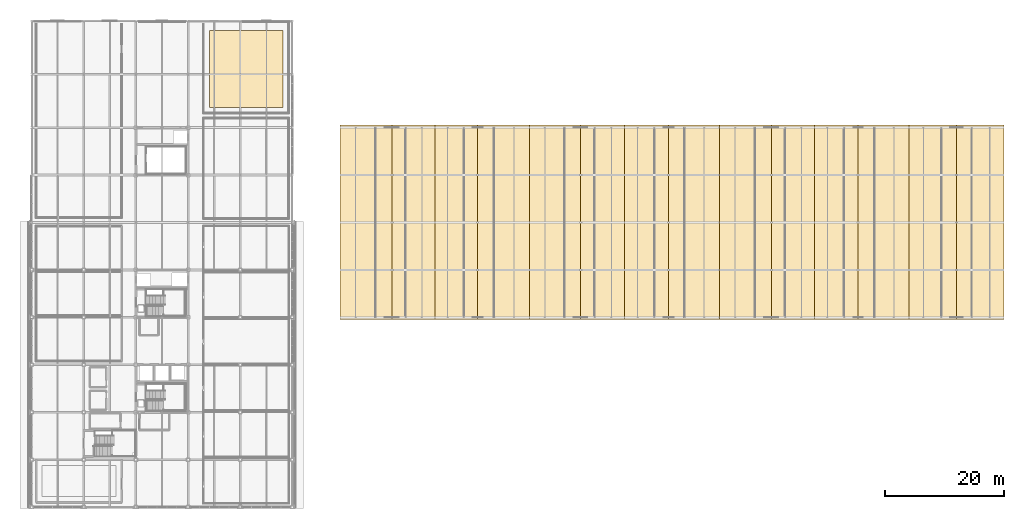
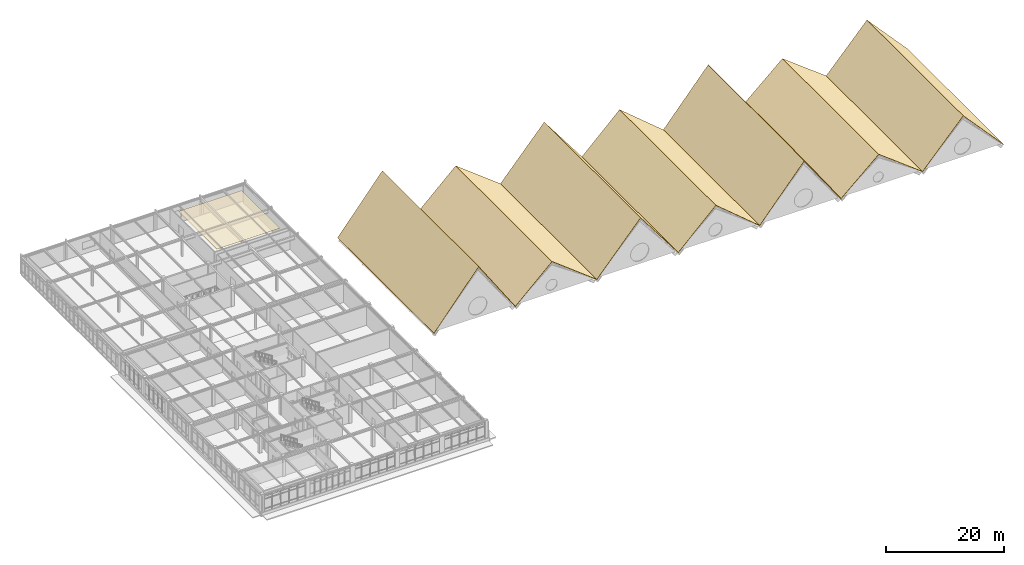
# One storey, part 64 of 64: 15 coverings.
"""IFC4 building model written with IfcOpenShell, lengths in metres."""

import ifcopenshell
import ifcopenshell.guid

model = None  # the IFC model being written
_history = None  # IfcOwnerHistory: only IFC2X3 demands one
_inside = {}  # id of a spatial element -> (the spatial element, [elements in it])
_under = {}  # id of a project, library or spatial element -> (it, [spatial elements below it])
_declared = {}  # id of a project -> (the project, [libraries it declares])
_typed = {}  # id of a type object -> (the type object, [elements of that type])
_made_of = {}  # id of a material, layer set ... -> (it, [elements and type objects made of it])


def new_model(schema):
    """Start an empty IFC model of exactly this schema.

    Asked for "IFC4X3", IfcOpenShell would pick the latest addendum, in which some entities
    have other attributes; the version numbers below select the first issue.
    IFC2X3 requires an IfcOwnerHistory on every rooted entity: one is made here for all.
    """
    global model, _history
    if schema == "IFC4X3":
        model = ifcopenshell.file(schema_version=(4, 3, 0, 0))
    else:
        model = ifcopenshell.file(schema=schema)
    _inside.clear()
    _under.clear()
    _declared.clear()
    _typed.clear()
    _made_of.clear()
    _history = None
    if model.schema == "IFC2X3":
        org = make("IfcOrganization", Name="unknown")
        user = make(
            "IfcPersonAndOrganization",
            ThePerson=make("IfcPerson", FamilyName="unknown"),
            TheOrganization=org,
        )
        app = make(
            "IfcApplication",
            ApplicationDeveloper=org,
            Version="unknown",
            ApplicationFullName="unknown",
            ApplicationIdentifier="unknown",
        )
        _history = make(
            "IfcOwnerHistory",
            OwningUser=user,
            OwningApplication=app,
            ChangeAction="ADDED",
            CreationDate=0,
        )
    return model


def make(cls, **values):
    """One entity of the class cls with the attributes given. An attribute that is None is left unset."""
    return model.create_entity(
        cls, **{name: value for name, value in values.items() if value is not None}
    )


def rooted(cls, **values):
    """An entity with a GlobalId (a new one), such as an element, a storey or a relation."""
    return make(cls, GlobalId=ifcopenshell.guid.new(), OwnerHistory=_history, **values)


def si_unit(unit_type, name, prefix=None):
    """IfcSIUnit, for example si_unit("LENGTHUNIT", "METRE", prefix="MILLI")."""
    return make("IfcSIUnit", UnitType=unit_type, Prefix=prefix, Name=name)


def assignment(units):
    """IfcUnitAssignment: the units of a project."""
    return None if units is None else make("IfcUnitAssignment", Units=units)


def point(xyz):
    """IfcCartesianPoint."""
    return None if xyz is None else make("IfcCartesianPoint", Coordinates=xyz)


def direction(xyz):
    """IfcDirection."""
    return None if xyz is None else make("IfcDirection", DirectionRatios=xyz)


def frame(location, z_axis=None, x_axis=None):
    """IfcAxis2Placement3D, a coordinate frame: its origin and axes. An axis left out is left unset."""
    return make(
        "IfcAxis2Placement3D",
        Location=point(location),
        Axis=direction(z_axis),
        RefDirection=direction(x_axis),
    )


def frame_2d(location, x_axis=None):
    """IfcAxis2Placement2D, a coordinate frame in the plane: its origin and x axis."""
    return make(
        "IfcAxis2Placement2D", Location=point(location), RefDirection=direction(x_axis)
    )


def origin():
    """The frame at (0, 0, 0) with its axes left unset."""
    return frame((0.0, 0.0, 0.0))


def origin_2d():
    """The frame at (0, 0) in the plane with its x axis left unset."""
    return frame_2d((0.0, 0.0))


def place(relative_to, where):
    """IfcLocalPlacement: puts the frame where relative to a parent placement (None: the world)."""
    return make(
        "IfcLocalPlacement", PlacementRelTo=relative_to, RelativePlacement=where
    )


def context(
    kind, dimensions, precision=None, world=None, true_north=None, identifier=None
):
    """IfcGeometricRepresentationContext, for example the 3D "Model" context."""
    return make(
        "IfcGeometricRepresentationContext",
        ContextIdentifier=identifier,
        ContextType=kind,
        CoordinateSpaceDimension=dimensions,
        Precision=precision,
        WorldCoordinateSystem=world,
        TrueNorth=true_north,
    )


def subcontext(parent, identifier, kind, view, scale=None):
    """IfcGeometricRepresentationSubContext, for example "Body" below "Model"."""
    return make(
        "IfcGeometricRepresentationSubContext",
        ContextIdentifier=identifier,
        ContextType=kind,
        ParentContext=parent,
        TargetScale=scale,
        TargetView=view,
    )


def project(units=None, contexts=None):
    """IfcProject with its units and contexts."""
    return rooted(
        "IfcProject",
        Name="project",
        RepresentationContexts=contexts,
        UnitsInContext=assignment(units),
    )


def spatial(cls, under=None, at=None, **own):
    """A site, building, storey or space (cls), placed at a placement, below another one or the project."""
    s = rooted(cls, ObjectPlacement=at, **own)
    if under is not None:
        _under.setdefault(under.id(), (under, []))[1].append(s)
    return s


def polyline(points):
    """IfcPolyline through the points."""
    return make("IfcPolyline", Points=[point(p) for p in points])


def profile(cls, at=None, kind="AREA", **sizes):
    """A parametric profile (cls). Its sizes go by their IFC names, for example OverallWidth=200.0."""
    return make(cls, ProfileType=kind, Position=at, **sizes)


def rectangle(**sizes):
    """IfcRectangleProfileDef."""
    return profile("IfcRectangleProfileDef", **sizes)


def outline(outer, holes=None, kind="AREA"):
    """IfcArbitraryClosedProfileDef: a profile drawn as a closed curve; with holes, ...WithVoids."""
    if holes is None:
        return make("IfcArbitraryClosedProfileDef", ProfileType=kind, OuterCurve=outer)
    return make(
        "IfcArbitraryProfileDefWithVoids",
        ProfileType=kind,
        OuterCurve=outer,
        InnerCurves=holes,
    )


def extrude(swept, where, along, depth):
    """IfcExtrudedAreaSolid: the profile swept, set in the frame where, extruded along a direction by depth."""
    return make(
        "IfcExtrudedAreaSolid",
        SweptArea=swept,
        Position=where,
        ExtrudedDirection=direction(along),
        Depth=depth,
    )


def shape(context_of_items, identifier, shape_type, items):
    """IfcShapeRepresentation: the items that make up one representation, for example the "Body"."""
    return make(
        "IfcShapeRepresentation",
        ContextOfItems=context_of_items,
        RepresentationIdentifier=identifier,
        RepresentationType=shape_type,
        Items=items,
    )


def material(Name=None, Category=None):
    """IfcMaterial."""
    return make("IfcMaterial", Name=Name, Category=Category)


def layer(
    of_material, thickness, ventilated=None, Name=None, Category=None, Priority=None
):
    """IfcMaterialLayer: one layer of a wall or slab, of a material (None: an air gap)."""
    return make(
        "IfcMaterialLayer",
        Material=of_material,
        LayerThickness=thickness,
        IsVentilated=ventilated,
        Name=Name,
        Category=Category,
        Priority=Priority,
    )


def layer_set(layers, Name=None):
    """IfcMaterialLayerSet."""
    return make("IfcMaterialLayerSet", MaterialLayers=layers, LayerSetName=Name)


def made_of(thing, what):
    """Note that an element or type object is made of a material, layer set ...; save() writes the relation."""
    if what is not None:
        _made_of.setdefault(what.id(), (what, []))[1].append(thing)
    return thing


def type_object(cls, material=None, **own):
    """A type object (cls), such as IfcWallType, which elements share."""
    return made_of(rooted(cls, **own), material)


def element(
    cls,
    number,
    at=None,
    inside=None,
    cuts=None,
    type_object=None,
    material=None,
    context=None,
    identifier="Body",
    shape_type=None,
    held_by="IfcProductDefinitionShape",
    body=None,
    shapes=None,
    **own,
):
    """One element of the class cls, such as IfcWall. Its Tag is "e" and its number.

    at: its placement. inside: the storey or other place that contains it. cuts: it is an
    opening in that element (IfcRelVoidsElement). A single representation is given by context,
    identifier, shape_type and body (its items); several are given by shapes. held_by: the class
    of the entity that holds the representations. save() writes the other relations.
    """
    e = rooted(cls, Tag="e%d" % number, ObjectPlacement=at, **own)
    if body is not None:
        shapes = [shape(context, identifier, shape_type, body)]
    if shapes is not None:
        e.Representation = make(held_by, Representations=shapes)
    if inside is not None:
        _inside.setdefault(inside.id(), (inside, []))[1].append(e)
    if cuts is not None:
        rooted(
            "IfcRelVoidsElement", RelatingBuildingElement=cuts, RelatedOpeningElement=e
        )
    if type_object is not None:
        _typed.setdefault(type_object.id(), (type_object, []))[1].append(e)
    return made_of(e, material)


def aggregate(whole, parts):
    """IfcRelAggregates: a whole, such as a stair, and the parts it consists of."""
    return rooted("IfcRelAggregates", RelatingObject=whole, RelatedObjects=parts)


def save(model, path):
    """Write the relations noted so far, then the file.

    IfcRelAggregates (storeys below a building ...), IfcRelContainedInSpatialStructure (elements
    in a storey), IfcRelDefinesByType, IfcRelAssociatesMaterial and IfcRelDeclares: one each for
    every whole, place, type object, material and project.
    """
    for whole, parts in _under.values():
        aggregate(whole, parts)
    for where, things in _inside.values():
        rooted(
            "IfcRelContainedInSpatialStructure",
            RelatedElements=things,
            RelatingStructure=where,
        )
    for kind, things in _typed.values():
        rooted("IfcRelDefinesByType", RelatedObjects=things, RelatingType=kind)
    for what, things in _made_of.values():
        rooted("IfcRelAssociatesMaterial", RelatedObjects=things, RelatingMaterial=what)
    for by, libraries in _declared.values():
        rooted("IfcRelDeclares", RelatingContext=by, RelatedDefinitions=libraries)
    model.write(path)


model = new_model("IFC4")

# Units and contexts
model_context = context("Model", 3, precision=1e-05, world=origin(), true_north=direction((0.0, 1.0)))
body_context = subcontext(model_context, "Body", "Model", "MODEL_VIEW")
ifc_project = project(units=[si_unit("LENGTHUNIT", "METRE"), si_unit("AREAUNIT", "SQUARE_METRE"), si_unit("VOLUMEUNIT", "CUBIC_METRE"), si_unit("PLANEANGLEUNIT", "RADIAN"), si_unit("MASSUNIT", "GRAM", prefix="KILO")], contexts=[model_context])

# Site, building, storey
site_placement = place(None, origin())
site = spatial("IfcSite", under=ifc_project, at=site_placement, CompositionType="ELEMENT")
building_placement = place(site_placement, origin())
building = spatial("IfcBuilding", under=site, at=building_placement, Name="Zhaolan Boulevard Law Courts", CompositionType="ELEMENT")
storey_placement = place(building_placement, frame((0.0, 0.0, 20.39990234375)))
storey = spatial("IfcBuildingStorey", under=building, at=storey_placement, Name="L04", CompositionType="ELEMENT", Elevation=20.39990234375)

# Coverings
ifc_material_1 = material(Name="Perforated acoustic gypsum and timber-slat ceiling", Category="wood")
ifc_layer_1 = layer(ifc_material_1, 0.034912109375)
ifc_layer_set_1 = layer_set([ifc_layer_1])
covering_type_1 = type_object("IfcCoveringType", Name="ACOUSTIC CEILING 35", PredefinedType="CEILING", material=ifc_layer_set_1)
covering_1_placement = place(storey_placement, frame((36.199951171875, 103.89990234375, 3.5126953125), z_axis=(0.0, 0.0, 1.0), x_axis=(1.0, 0.0, 0.0)))
element("IfcCovering", 1, at=covering_1_placement, inside=storey, type_object=covering_type_1, Name="Acoustic Baffle Ceiling CLG-10", PredefinedType="CEILING", context=body_context, shape_type="SweptSolid", body=[
    extrude(rectangle(XDim=12.39990234375, YDim=13.0, at=origin_2d()), origin(), (0.0, 0.0, 1.0), 0.034912109375),
])
ifc_material_2 = material(Name="Pale mist-grey standing-seam Al-Mg-Mn zinc-titanium")
ifc_layer_2 = layer(ifc_material_2, 0.054931640625)
ifc_layer_set_2 = layer_set([ifc_layer_2])
covering_type_2 = type_object("IfcCoveringType", Name="STANDING SEAM ROOFING 55", PredefinedType="ROOFING", material=ifc_layer_set_2)
covering_2_placement = place(storey_placement, frame((52.0, 94.39990234375, 0.065185546875), z_axis=(0.0, -1.0, 0.0), x_axis=(1.0, 0.0, 0.0)))
element("IfcCovering", 2, at=covering_2_placement, inside=storey, type_object=covering_type_2, Name="Standing-Seam Metal Gable Roof Sheet SSR-003", PredefinedType="ROOFING", context=body_context, shape_type="SweptSolid", body=[
    extrude(outline(polyline([(0.0, 0.0), (8.800048828125, 10.800048828125), (8.800048828125, 10.712890625), (0.0, -0.087158203125), (0.0, 0.0)])), origin(), (0.0, 0.0, 1.0), 32.800048828125),
])
covering_3_placement = place(storey_placement, frame((60.800048828125, 94.39990234375, 0.065185546875), z_axis=(0.0, -1.0, 0.0), x_axis=(1.0, 0.0, 0.0)))
element("IfcCovering", 3, at=covering_3_placement, inside=storey, type_object=covering_type_2, Name="Standing-Seam Metal Gable Roof Sheet SSR-004", PredefinedType="ROOFING", context=body_context, shape_type="SweptSolid", body=[
    extrude(outline(polyline([(0.0, 10.800048828125), (7.199951171875, 0.0), (7.199951171875, -0.09912109375), (0.0, 10.700927734375), (0.0, 10.800048828125)])), origin(), (0.0, 0.0, 1.0), 32.800048828125),
])
covering_4_placement = place(storey_placement, frame((68.0, 94.39990234375, 0.065185546875), z_axis=(0.0, -1.0, 0.0), x_axis=(1.0, 0.0, 0.0)))
element("IfcCovering", 4, at=covering_4_placement, inside=storey, type_object=covering_type_2, Name="Standing-Seam Metal Gable Roof Sheet SSR-007", PredefinedType="ROOFING", context=body_context, shape_type="SweptSolid", body=[
    extrude(outline(polyline([(0.0, 0.0), (7.199951171875, 6.800048828125), (7.199951171875, 6.724365234375), (0.0, -0.07568359375), (0.0, 0.0)])), origin(), (0.0, 0.0, 1.0), 32.800048828125),
])
covering_5_placement = place(storey_placement, frame((75.199951171875, 94.39990234375, 0.065185546875), z_axis=(0.0, -1.0, 0.0), x_axis=(1.0, 0.0, 0.0)))
element("IfcCovering", 5, at=covering_5_placement, inside=storey, type_object=covering_type_2, Name="Standing-Seam Metal Gable Roof Sheet SSR-008", PredefinedType="ROOFING", context=body_context, shape_type="SweptSolid", body=[
    extrude(outline(polyline([(0.0, 6.800048828125), (8.800048828125, 0.0), (8.800048828125, -0.069580078125), (0.0, 6.73046875), (0.0, 6.800048828125)])), origin(), (0.0, 0.0, 1.0), 32.800048828125),
])
covering_6_placement = place(storey_placement, frame((84.0, 94.39990234375, 0.065185546875), z_axis=(0.0, -1.0, 0.0), x_axis=(1.0, 0.0, 0.0)))
element("IfcCovering", 6, at=covering_6_placement, inside=storey, type_object=covering_type_2, Name="Standing-Seam Metal Gable Roof Sheet SSR-011", PredefinedType="ROOFING", context=body_context, shape_type="SweptSolid", body=[
    extrude(outline(polyline([(0.0, 0.0), (8.60009765625, 9.800048828125), (8.60009765625, 9.716552734375), (0.0, -0.08349609375), (0.0, 0.0)])), origin(), (0.0, 0.0, 1.0), 32.800048828125),
])
covering_7_placement = place(storey_placement, frame((92.60009765625, 94.39990234375, 0.065185546875), z_axis=(0.0, -1.0, 0.0), x_axis=(1.0, 0.0, 0.0)))
element("IfcCovering", 7, at=covering_7_placement, inside=storey, type_object=covering_type_2, Name="Standing-Seam Metal Gable Roof Sheet SSR-012", PredefinedType="ROOFING", context=body_context, shape_type="SweptSolid", body=[
    extrude(outline(polyline([(0.0, 9.800048828125), (7.39990234375, 0.0), (7.39990234375, -0.09130859375), (0.0, 9.708740234375), (0.0, 9.800048828125)])), origin(), (0.0, 0.0, 1.0), 32.800048828125),
])
covering_8_placement = place(storey_placement, frame((100.0, 94.39990234375, 0.065185546875), z_axis=(0.0, -1.0, 0.0), x_axis=(1.0, 0.0, 0.0)))
element("IfcCovering", 8, at=covering_8_placement, inside=storey, type_object=covering_type_2, Name="Standing-Seam Metal Gable Roof Sheet SSR-015", PredefinedType="ROOFING", context=body_context, shape_type="SweptSolid", body=[
    extrude(outline(polyline([(0.0, 0.0), (7.39990234375, 7.199951171875), (7.39990234375, 7.123291015625), (0.0, -0.07666015625), (0.0, 0.0)])), origin(), (0.0, 0.0, 1.0), 32.800048828125),
])
covering_9_placement = place(storey_placement, frame((107.39990234375, 94.39990234375, 0.065185546875), z_axis=(0.0, -1.0, 0.0), x_axis=(1.0, 0.0, 0.0)))
element("IfcCovering", 9, at=covering_9_placement, inside=storey, type_object=covering_type_2, Name="Standing-Seam Metal Gable Roof Sheet SSR-016", PredefinedType="ROOFING", context=body_context, shape_type="SweptSolid", body=[
    extrude(outline(polyline([(0.0, 7.199951171875), (8.60009765625, 0.0), (8.60009765625, -0.07177734375), (0.0, 7.128173828125), (0.0, 7.199951171875)])), origin(), (0.0, 0.0, 1.0), 32.800048828125),
])
covering_10_placement = place(storey_placement, frame((116.0, 94.39990234375, 0.065185546875), z_axis=(0.0, -1.0, 0.0), x_axis=(1.0, 0.0, 0.0)))
element("IfcCovering", 10, at=covering_10_placement, inside=storey, type_object=covering_type_2, Name="Standing-Seam Metal Gable Roof Sheet SSR-019", PredefinedType="ROOFING", context=body_context, shape_type="SweptSolid", body=[
    extrude(outline(polyline([(0.0, 0.0), (8.800048828125, 10.39990234375), (8.800048828125, 10.31494140625), (0.0, -0.085205078125), (0.0, 0.0)])), origin(), (0.0, 0.0, 1.0), 32.800048828125),
])
covering_11_placement = place(storey_placement, frame((124.800048828125, 94.39990234375, 0.065185546875), z_axis=(0.0, -1.0, 0.0), x_axis=(1.0, 0.0, 0.0)))
element("IfcCovering", 11, at=covering_11_placement, inside=storey, type_object=covering_type_2, Name="Standing-Seam Metal Gable Roof Sheet SSR-020", PredefinedType="ROOFING", context=body_context, shape_type="SweptSolid", body=[
    extrude(outline(polyline([(0.0, 10.39990234375), (7.199951171875, 0.0), (7.199951171875, -0.0966796875), (0.0, 10.303466796875), (0.0, 10.39990234375)])), origin(), (0.0, 0.0, 1.0), 32.800048828125),
])
covering_12_placement = place(storey_placement, frame((132.0, 94.39990234375, 0.065185546875), z_axis=(0.0, -1.0, 0.0), x_axis=(1.0, 0.0, 0.0)))
element("IfcCovering", 12, at=covering_12_placement, inside=storey, type_object=covering_type_2, Name="Standing-Seam Metal Gable Roof Sheet SSR-023", PredefinedType="ROOFING", context=body_context, shape_type="SweptSolid", body=[
    extrude(outline(polyline([(0.0, 0.0), (7.39990234375, 6.60009765625), (7.39990234375, 6.5263671875), (0.0, -0.07373046875), (0.0, 0.0)])), origin(), (0.0, 0.0, 1.0), 32.800048828125),
])
covering_13_placement = place(storey_placement, frame((139.39990234375, 94.39990234375, 0.065185546875), z_axis=(0.0, -1.0, 0.0), x_axis=(1.0, 0.0, 0.0)))
element("IfcCovering", 13, at=covering_13_placement, inside=storey, type_object=covering_type_2, Name="Standing-Seam Metal Gable Roof Sheet SSR-024", PredefinedType="ROOFING", context=body_context, shape_type="SweptSolid", body=[
    extrude(outline(polyline([(0.0, 6.60009765625), (8.60009765625, 0.0), (8.60009765625, -0.0693359375), (0.0, 6.53076171875), (0.0, 6.60009765625)])), origin(), (0.0, 0.0, 1.0), 32.800048828125),
])
covering_14_placement = place(storey_placement, frame((148.0, 94.39990234375, 0.065185546875), z_axis=(0.0, -1.0, 0.0), x_axis=(1.0, 0.0, 0.0)))
element("IfcCovering", 14, at=covering_14_placement, inside=storey, type_object=covering_type_2, Name="Standing-Seam Metal Gable Roof Sheet SSR-027", PredefinedType="ROOFING", context=body_context, shape_type="SweptSolid", body=[
    extrude(outline(polyline([(0.0, 0.0), (8.0, 8.800048828125), (8.0, 8.71826171875), (0.0, -0.081787109375), (0.0, 0.0)])), origin(), (0.0, 0.0, 1.0), 32.800048828125),
])
covering_15_placement = place(storey_placement, frame((156.0, 94.39990234375, 0.065185546875), z_axis=(0.0, -1.0, 0.0), x_axis=(1.0, 0.0, 0.0)))
element("IfcCovering", 15, at=covering_15_placement, inside=storey, type_object=covering_type_2, Name="Standing-Seam Metal Gable Roof Sheet SSR-028", PredefinedType="ROOFING", context=body_context, shape_type="SweptSolid", body=[
    extrude(outline(polyline([(0.0, 8.800048828125), (8.0, 0.0), (8.0, -0.081787109375), (0.0, 8.71826171875), (0.0, 8.800048828125)])), origin(), (0.0, 0.0, 1.0), 32.800048828125),
])

save(model, "model.ifc")
